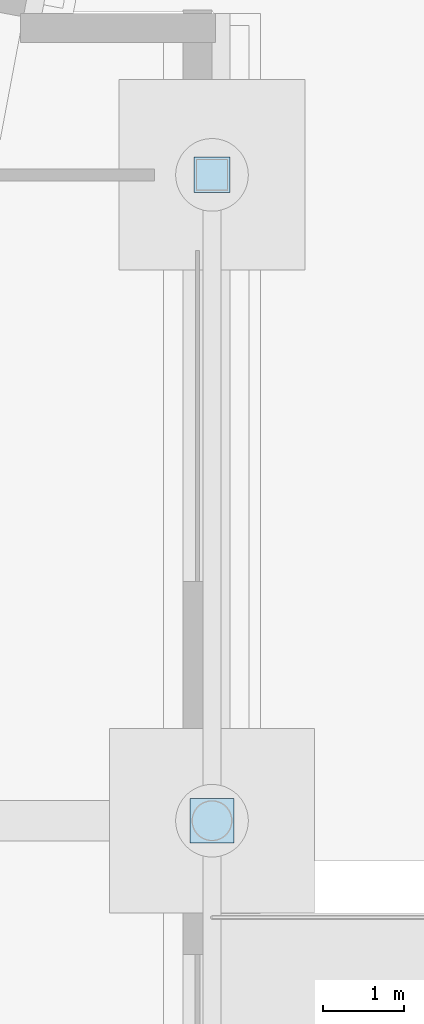
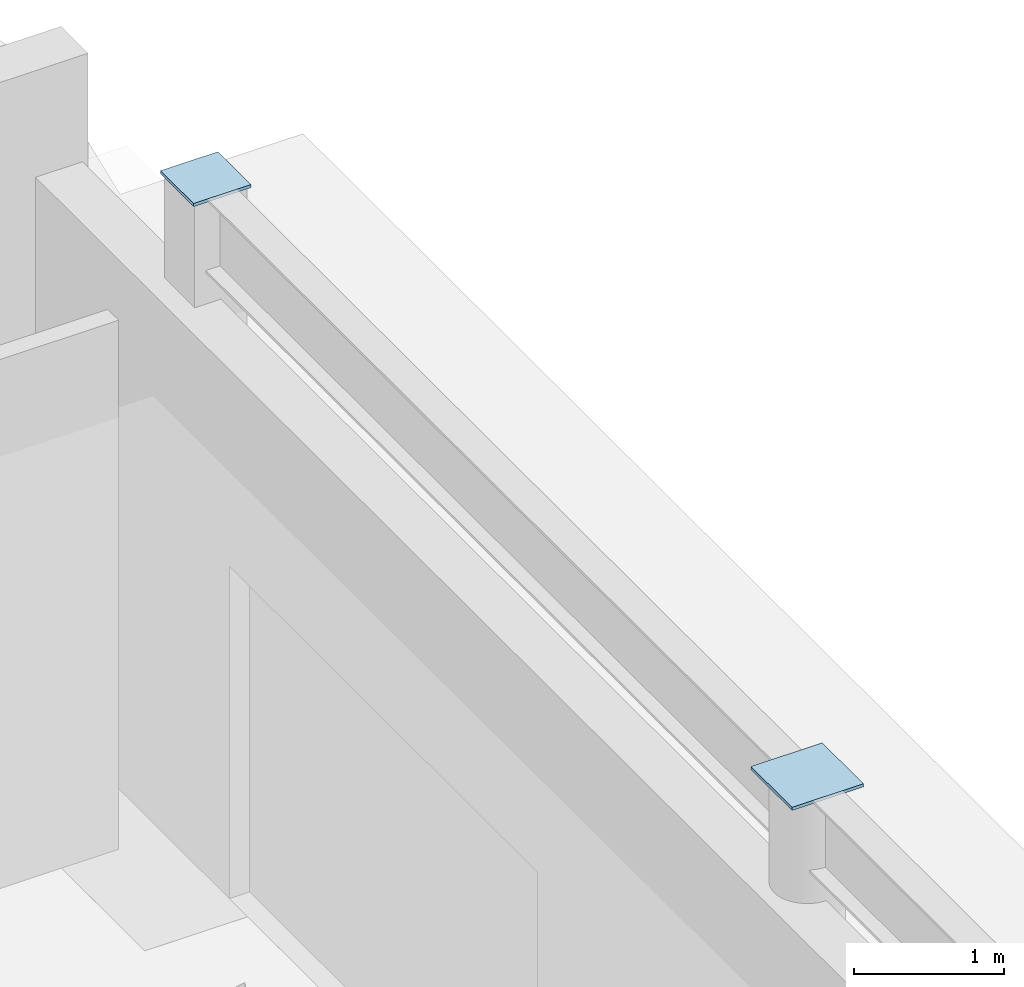
# One storey, part 49 of 93: 2 plates.
"""IFC4 building model written with IfcOpenShell, lengths in metres."""

from ifc_helpers import new_model, si_unit, direction, frame, origin, origin_2d, place, context, subcontext, project, spatial, rectangle, extrude, material, layer, layer_set, type_object, element, save


model = new_model("IFC4")

# Units and contexts
model_context = context("Model", 3, precision=1e-05, world=origin(), true_north=direction((0.0, 1.0)))
body_context = subcontext(model_context, "Body", "Model", "MODEL_VIEW")
ifc_project = project(units=[si_unit("LENGTHUNIT", "METRE"), si_unit("AREAUNIT", "SQUARE_METRE"), si_unit("VOLUMEUNIT", "CUBIC_METRE"), si_unit("PLANEANGLEUNIT", "RADIAN"), si_unit("MASSUNIT", "GRAM", prefix="KILO")], contexts=[model_context])

# Site, building, storey
site_placement = place(None, origin())
site = spatial("IfcSite", under=ifc_project, at=site_placement, CompositionType="ELEMENT")
building_placement = place(site_placement, origin())
building = spatial("IfcBuilding", under=site, at=building_placement, Name="Kalgoora Escarpment Arena", CompositionType="ELEMENT")
storey_placement = place(building_placement, origin())
storey = spatial("IfcBuildingStorey", under=building, at=storey_placement, Name="L00", CompositionType="ELEMENT", Elevation=0.0)

# Plates
ifc_material_1 = material(Name="Structural steel Grade 350 (350 MPa)", Category="steel")
ifc_layer_1 = layer(ifc_material_1, 0.02490234375)
ifc_layer_set_1 = layer_set([ifc_layer_1], Name="PLT-CAP-400")
plate_type_1 = type_object("IfcPlateType", Name="PLT-CAP-400", PredefinedType="USERDEFINED", material=ifc_layer_set_1)
plate_1_placement = place(storey_placement, frame((184.800048828125, 56.0, 5.135009765625), z_axis=(0.0, 0.0, 1.0), x_axis=(1.0, 0.0, 0.0)))
element("IfcPlate", 1, at=plate_1_placement, inside=storey, type_object=plate_type_1, Name="COL-G23-H-L00 end cap plate", ObjectType="FLANGE PLATE", PredefinedType="USERDEFINED", context=body_context, shape_type="SweptSolid", body=[
    extrude(rectangle(XDim=0.43994140625, YDim=0.43994140625, at=origin_2d()), origin(), (0.0, 0.0, 1.0), 0.02490234375),
])
ifc_material_2 = material(Name="Structural steel Grade 350 (350 MPa)", Category="steel")
ifc_layer_2 = layer(ifc_material_2, 0.02490234375)
ifc_layer_set_2 = layer_set([ifc_layer_2], Name="PLT-CAP-508")
plate_type_2 = type_object("IfcPlateType", Name="PLT-CAP-508", PredefinedType="USERDEFINED", material=ifc_layer_set_2)
plate_2_placement = place(storey_placement, frame((184.800048828125, 48.0, 5.135009765625), z_axis=(0.0, 0.0, 1.0), x_axis=(1.0, 0.0, 0.0)))
element("IfcPlate", 2, at=plate_2_placement, inside=storey, type_object=plate_type_2, Name="COL-G23-G-L00 end cap plate", ObjectType="FLANGE PLATE", PredefinedType="USERDEFINED", context=body_context, shape_type="SweptSolid", body=[
    extrude(rectangle(XDim=0.548095703125, YDim=0.548095703125, at=origin_2d()), origin(), (0.0, 0.0, 1.0), 0.02490234375),
])

save(model, "model.ifc")
